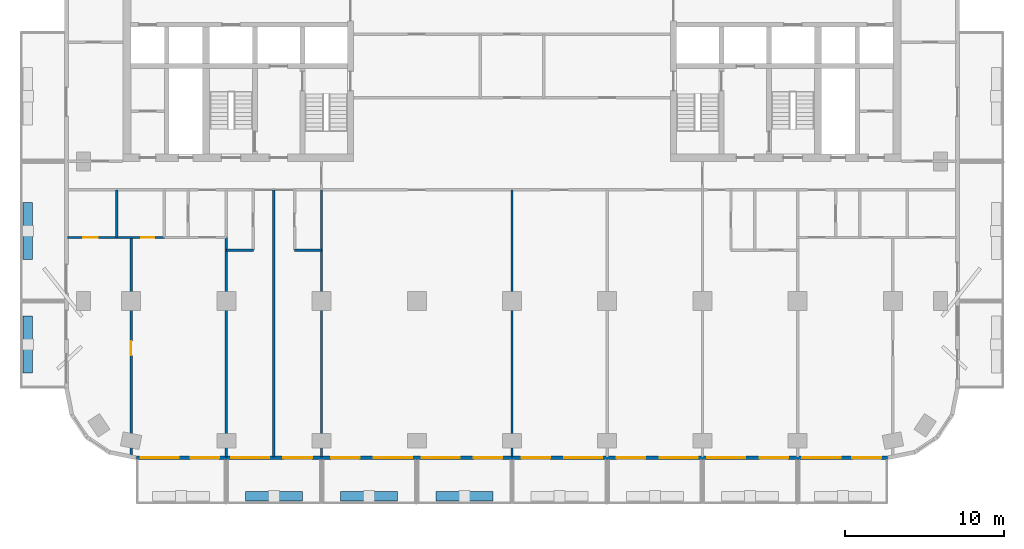
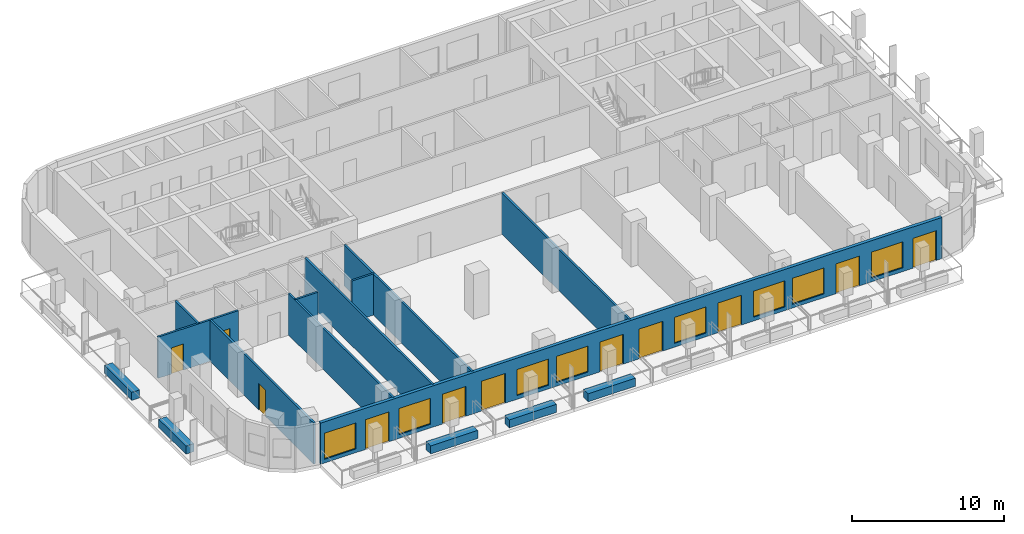
# One storey, part 2 of 12: 15 walls, 11 doors, 8 windows, 19 openings.
"""IFC4 building model written with IfcOpenShell, lengths in metres."""

from ifc_helpers import new_model, si_unit, direction, frame, frame_2d, origin, place, context, subcontext, project, spatial, rectangle, extrude, material, layer, layer_set, type_object, element, fill, save


model = new_model("IFC4")

# Units and contexts
model_context = context("Model", 3, precision=1e-05, world=origin(), true_north=direction((0.0, 1.0)))
body_context = subcontext(model_context, "Body", "Model", "MODEL_VIEW")
ifc_project = project(units=[si_unit("LENGTHUNIT", "METRE"), si_unit("AREAUNIT", "SQUARE_METRE"), si_unit("VOLUMEUNIT", "CUBIC_METRE"), si_unit("PLANEANGLEUNIT", "RADIAN"), si_unit("MASSUNIT", "GRAM", prefix="KILO")], contexts=[model_context])

# Site, building, storey
site_placement = place(None, origin())
site = spatial("IfcSite", under=ifc_project, at=site_placement, CompositionType="ELEMENT")
building_placement = place(site_placement, origin())
building = spatial("IfcBuilding", under=site, at=building_placement, Name="Torana Hotel and Residences", CompositionType="ELEMENT")
storey_placement = place(building_placement, frame((0.0, 0.0, 112.800048828125)))
storey = spatial("IfcBuildingStorey", under=building, at=storey_placement, Name="L28", CompositionType="ELEMENT", Elevation=112.800048828125)

# Wall, openings, doors, windows
ifc_material_1 = material(Name="Black aluminium composite panel", Category="aluminium")
ifc_layer_1 = layer(ifc_material_1, 0.00390625, Name="Cladding", Category="cladding")
ifc_material_2 = material(Name="Ventilated air cavity")
ifc_layer_2 = layer(ifc_material_2, 0.0400390625, Name="Ventilated cavity", Category="cavity")
ifc_material_3 = material(Name="Mineral wool insulation")
ifc_layer_3 = layer(ifc_material_3, 0.090087890625, Name="Insulation", Category="insulation")
ifc_material_4 = material(Name="Steel S280GD", Category="steel")
ifc_layer_4 = layer(ifc_material_4, 0.092041015625, Name="Steel stud frame", Category="structure")
ifc_material_5 = material(Name="Fire rated plasterboard")
ifc_layer_5 = layer(ifc_material_5, 0.011962890625, Name="Inner board", Category="finish")
ifc_layer_6 = layer(ifc_material_5, 0.011962890625, Name="Second board", Category="finish")
ifc_layer_set_1 = layer_set([ifc_layer_1, ifc_layer_2, ifc_layer_3, ifc_layer_4, ifc_layer_5, ifc_layer_6], Name="EW1 EXTERNAL WALL BLACK METAL CLAD 250")
wall_type_1 = type_object("IfcWallType", Name="EW1 EXTERNAL WALL BLACK METAL CLAD 250", PredefinedType="SOLIDWALL", material=ifc_layer_set_1)
wall_1_placement = place(storey_placement, frame((-23.67529296875, -33.675048828125, 0.0), z_axis=(0.0, 0.0, 1.0), x_axis=(1.0, 0.0, 0.0)))
wall_1 = element("IfcWall", 1, at=wall_1_placement, inside=storey, type_object=wall_type_1, Name="External wall L28 e0.14", PredefinedType="SOLIDWALL", context=body_context, shape_type="SweptSolid", body=[
    extrude(rectangle(XDim=47.3505859375, YDim=0.25, at=frame_2d((23.67529296875, 0.0))), origin(), (0.0, 0.0, 1.0), 3.320068359375),
])
opening_1_placement = place(wall_1_placement, frame((0.275390625, 0.0, 0.300048828125)))
opening_1 = element("IfcOpeningElement", 2, at=opening_1_placement, cuts=wall_1, Name="Opening W1", PredefinedType="OPENING", context=body_context, shape_type="SweptSolid", body=[
    extrude(rectangle(XDim=2.39990234375, YDim=2.10009765625, at=frame_2d((1.199951171875, 1.050048828125))), frame((0.0, 0.135009765625, 0.0), z_axis=(0.0, -1.0, 0.0), x_axis=(1.0, 0.0, 0.0)), (0.0, 0.0, 1.0), 0.27001953125),
])
opening_2_placement = place(wall_1_placement, frame((3.42529296875, 0.0, 0.0)))
opening_2 = element("IfcOpeningElement", 3, at=opening_2_placement, cuts=wall_1, Name="Opening L28-E01", PredefinedType="OPENING", context=body_context, shape_type="SweptSolid", body=[
    extrude(rectangle(XDim=1.800048828125, YDim=2.39990234375, at=frame_2d((0.89990234375, 1.199951171875))), frame((0.0, 0.135009765625, 0.0), z_axis=(0.0, -1.0, 0.0), x_axis=(1.0, 0.0, 0.0)), (0.0, 0.0, 1.0), 0.27001953125),
])
opening_3_placement = place(wall_1_placement, frame((5.975341796875, 0.0, 0.300048828125)))
opening_3 = element("IfcOpeningElement", 4, at=opening_3_placement, cuts=wall_1, Name="Opening W1", PredefinedType="OPENING", context=body_context, shape_type="SweptSolid", body=[
    extrude(rectangle(XDim=2.39990234375, YDim=2.10009765625, at=frame_2d((1.199951171875, 1.050048828125))), frame((0.0, 0.135009765625, 0.0), z_axis=(0.0, -1.0, 0.0), x_axis=(1.0, 0.0, 0.0)), (0.0, 0.0, 1.0), 0.27001953125),
])
opening_4_placement = place(wall_1_placement, frame((9.275390625, 0.0, 0.0)))
opening_4 = element("IfcOpeningElement", 5, at=opening_4_placement, cuts=wall_1, Name="Opening L28-E02", PredefinedType="OPENING", context=body_context, shape_type="SweptSolid", body=[
    extrude(rectangle(XDim=1.800048828125, YDim=2.39990234375, at=frame_2d((0.89990234375, 1.199951171875))), frame((0.0, 0.135009765625, 0.0), z_axis=(0.0, -1.0, 0.0), x_axis=(1.0, 0.0, 0.0)), (0.0, 0.0, 1.0), 0.27001953125),
])
opening_5_placement = place(wall_1_placement, frame((12.275390625, 0.0, 0.0)))
opening_5 = element("IfcOpeningElement", 6, at=opening_5_placement, cuts=wall_1, Name="Opening L28-E03", PredefinedType="OPENING", context=body_context, shape_type="SweptSolid", body=[
    extrude(rectangle(XDim=1.800048828125, YDim=2.39990234375, at=frame_2d((0.89990234375, 1.199951171875))), frame((0.0, 0.135009765625, 0.0), z_axis=(0.0, -1.0, 0.0), x_axis=(1.0, 0.0, 0.0)), (0.0, 0.0, 1.0), 0.27001953125),
])
opening_6_placement = place(wall_1_placement, frame((14.975341796875, 0.0, 0.300048828125)))
opening_6 = element("IfcOpeningElement", 7, at=opening_6_placement, cuts=wall_1, Name="Opening W1", PredefinedType="OPENING", context=body_context, shape_type="SweptSolid", body=[
    extrude(rectangle(XDim=2.39990234375, YDim=2.10009765625, at=frame_2d((1.199951171875, 1.050048828125))), frame((0.0, 0.135009765625, 0.0), z_axis=(0.0, -1.0, 0.0), x_axis=(1.0, 0.0, 0.0)), (0.0, 0.0, 1.0), 0.27001953125),
])
opening_7_placement = place(wall_1_placement, frame((17.975341796875, 0.0, 0.300048828125)))
opening_7 = element("IfcOpeningElement", 8, at=opening_7_placement, cuts=wall_1, Name="Opening W1", PredefinedType="OPENING", context=body_context, shape_type="SweptSolid", body=[
    extrude(rectangle(XDim=2.39990234375, YDim=2.10009765625, at=frame_2d((1.199951171875, 1.050048828125))), frame((0.0, 0.135009765625, 0.0), z_axis=(0.0, -1.0, 0.0), x_axis=(1.0, 0.0, 0.0)), (0.0, 0.0, 1.0), 0.27001953125),
])
opening_8_placement = place(wall_1_placement, frame((21.275390625, 0.0, 0.0)))
opening_8 = element("IfcOpeningElement", 9, at=opening_8_placement, cuts=wall_1, Name="Opening L28-E04", PredefinedType="OPENING", context=body_context, shape_type="SweptSolid", body=[
    extrude(rectangle(XDim=1.800048828125, YDim=2.39990234375, at=frame_2d((0.89990234375, 1.199951171875))), frame((0.0, 0.135009765625, 0.0), z_axis=(0.0, -1.0, 0.0), x_axis=(1.0, 0.0, 0.0)), (0.0, 0.0, 1.0), 0.27001953125),
])
opening_9_placement = place(wall_1_placement, frame((24.275390625, 0.0, 0.0)))
opening_9 = element("IfcOpeningElement", 10, at=opening_9_placement, cuts=wall_1, Name="Opening L28-E05", PredefinedType="OPENING", context=body_context, shape_type="SweptSolid", body=[
    extrude(rectangle(XDim=1.800048828125, YDim=2.39990234375, at=frame_2d((0.89990234375, 1.199951171875))), frame((0.0, 0.135009765625, 0.0), z_axis=(0.0, -1.0, 0.0), x_axis=(1.0, 0.0, 0.0)), (0.0, 0.0, 1.0), 0.27001953125),
])
opening_10_placement = place(wall_1_placement, frame((26.975341796875, 0.0, 0.300048828125)))
opening_10 = element("IfcOpeningElement", 11, at=opening_10_placement, cuts=wall_1, Name="Opening W1", PredefinedType="OPENING", context=body_context, shape_type="SweptSolid", body=[
    extrude(rectangle(XDim=2.39990234375, YDim=2.10009765625, at=frame_2d((1.199951171875, 1.050048828125))), frame((0.0, 0.135009765625, 0.0), z_axis=(0.0, -1.0, 0.0), x_axis=(1.0, 0.0, 0.0)), (0.0, 0.0, 1.0), 0.27001953125),
])
opening_11_placement = place(wall_1_placement, frame((30.275390625, 0.0, 0.0)))
opening_11 = element("IfcOpeningElement", 12, at=opening_11_placement, cuts=wall_1, Name="Opening L28-E06", PredefinedType="OPENING", context=body_context, shape_type="SweptSolid", body=[
    extrude(rectangle(XDim=1.800048828125, YDim=2.39990234375, at=frame_2d((0.89990234375, 1.199951171875))), frame((0.0, 0.135009765625, 0.0), z_axis=(0.0, -1.0, 0.0), x_axis=(1.0, 0.0, 0.0)), (0.0, 0.0, 1.0), 0.27001953125),
])
opening_12_placement = place(wall_1_placement, frame((32.975341796875, 0.0, 0.300048828125)))
opening_12 = element("IfcOpeningElement", 13, at=opening_12_placement, cuts=wall_1, Name="Opening W1", PredefinedType="OPENING", context=body_context, shape_type="SweptSolid", body=[
    extrude(rectangle(XDim=2.39990234375, YDim=2.10009765625, at=frame_2d((1.199951171875, 1.050048828125))), frame((0.0, 0.135009765625, 0.0), z_axis=(0.0, -1.0, 0.0), x_axis=(1.0, 0.0, 0.0)), (0.0, 0.0, 1.0), 0.27001953125),
])
opening_13_placement = place(wall_1_placement, frame((35.975341796875, 0.0, 0.300048828125)))
opening_13 = element("IfcOpeningElement", 14, at=opening_13_placement, cuts=wall_1, Name="Opening W1", PredefinedType="OPENING", context=body_context, shape_type="SweptSolid", body=[
    extrude(rectangle(XDim=2.39990234375, YDim=2.10009765625, at=frame_2d((1.199951171875, 1.050048828125))), frame((0.0, 0.135009765625, 0.0), z_axis=(0.0, -1.0, 0.0), x_axis=(1.0, 0.0, 0.0)), (0.0, 0.0, 1.0), 0.27001953125),
])
opening_14_placement = place(wall_1_placement, frame((39.275390625, 0.0, 0.0)))
opening_14 = element("IfcOpeningElement", 15, at=opening_14_placement, cuts=wall_1, Name="Opening L28-E07", PredefinedType="OPENING", context=body_context, shape_type="SweptSolid", body=[
    extrude(rectangle(XDim=1.800048828125, YDim=2.39990234375, at=frame_2d((0.89990234375, 1.199951171875))), frame((0.0, 0.135009765625, 0.0), z_axis=(0.0, -1.0, 0.0), x_axis=(1.0, 0.0, 0.0)), (0.0, 0.0, 1.0), 0.27001953125),
])
opening_15_placement = place(wall_1_placement, frame((41.975341796875, 0.0, 0.300048828125)))
opening_15 = element("IfcOpeningElement", 16, at=opening_15_placement, cuts=wall_1, Name="Opening W1", PredefinedType="OPENING", context=body_context, shape_type="SweptSolid", body=[
    extrude(rectangle(XDim=2.39990234375, YDim=2.10009765625, at=frame_2d((1.199951171875, 1.050048828125))), frame((0.0, 0.135009765625, 0.0), z_axis=(0.0, -1.0, 0.0), x_axis=(1.0, 0.0, 0.0)), (0.0, 0.0, 1.0), 0.27001953125),
])
opening_16_placement = place(wall_1_placement, frame((45.12548828125, 0.0, 0.0)))
opening_16 = element("IfcOpeningElement", 17, at=opening_16_placement, cuts=wall_1, Name="Opening L28-E08", PredefinedType="OPENING", context=body_context, shape_type="SweptSolid", body=[
    extrude(rectangle(XDim=1.800048828125, YDim=2.39990234375, at=frame_2d((0.89990234375, 1.199951171875))), frame((0.0, 0.135009765625, 0.0), z_axis=(0.0, -1.0, 0.0), x_axis=(1.0, 0.0, 0.0)), (0.0, 0.0, 1.0), 0.27001953125),
])
ifc_material_6 = material(Name="Dark glass in black aluminium frame", Category="aluminium")
door_type_1 = type_object("IfcDoorType", Name="DB1 BALCONY DOOR 1800x2400", OperationType="DOUBLE_DOOR_SINGLE_SWING", PredefinedType="DOOR", material=ifc_material_6)
door_1_placement = place(opening_2_placement, frame((0.89990234375, 0.0, 0.0), z_axis=(0.0, 0.0, 1.0), x_axis=(-1.0, 0.0, 0.0)))
door_1 = element("IfcDoor", 18, at=door_1_placement, inside=storey, type_object=door_type_1, Name="Balcony door L28", OperationType="DOUBLE_DOOR_SINGLE_SWING", OverallHeight=2.39990234375, OverallWidth=1.800048828125, PredefinedType="DOOR", context=body_context, shape_type="SweptSolid", body=[
    extrude(rectangle(XDim=1.800048828125, YDim=2.39990234375, at=frame_2d((0.0, 1.199951171875))), frame((0.0, -0.02490234375, 0.0), z_axis=(0.0, 1.0, 0.0), x_axis=(-1.0, 0.0, 0.0)), (0.0, 0.0, 1.0), 0.050048828125),
])
fill(opening_2, door_1)
door_2_placement = place(opening_4_placement, origin())
door_2 = element("IfcDoor", 19, at=door_2_placement, inside=storey, type_object=door_type_1, Name="Balcony door L28", OperationType="DOUBLE_DOOR_SINGLE_SWING", OverallHeight=2.39990234375, OverallWidth=1.800048828125, PredefinedType="DOOR", context=body_context, shape_type="SweptSolid", body=[
    extrude(rectangle(XDim=1.800048828125, YDim=2.39990234375, at=frame_2d((0.89990234375, 1.199951171875))), frame((0.0, 0.02490234375, 0.0), z_axis=(0.0, -1.0, 0.0), x_axis=(1.0, 0.0, 0.0)), (0.0, 0.0, 1.0), 0.050048828125),
])
fill(opening_4, door_2)
door_3_placement = place(opening_5_placement, origin())
door_3 = element("IfcDoor", 20, at=door_3_placement, inside=storey, type_object=door_type_1, Name="Balcony door L28", OperationType="DOUBLE_DOOR_SINGLE_SWING", OverallHeight=2.39990234375, OverallWidth=1.800048828125, PredefinedType="DOOR", context=body_context, shape_type="SweptSolid", body=[
    extrude(rectangle(XDim=1.800048828125, YDim=2.39990234375, at=frame_2d((0.89990234375, 1.199951171875))), frame((0.0, 0.02490234375, 0.0), z_axis=(0.0, -1.0, 0.0), x_axis=(1.0, 0.0, 0.0)), (0.0, 0.0, 1.0), 0.050048828125),
])
fill(opening_5, door_3)
door_4_placement = place(opening_8_placement, origin())
door_4 = element("IfcDoor", 21, at=door_4_placement, inside=storey, type_object=door_type_1, Name="Balcony door L28", OperationType="DOUBLE_DOOR_SINGLE_SWING", OverallHeight=2.39990234375, OverallWidth=1.800048828125, PredefinedType="DOOR", context=body_context, shape_type="SweptSolid", body=[
    extrude(rectangle(XDim=1.800048828125, YDim=2.39990234375, at=frame_2d((0.89990234375, 1.199951171875))), frame((0.0, 0.02490234375, 0.0), z_axis=(0.0, -1.0, 0.0), x_axis=(1.0, 0.0, 0.0)), (0.0, 0.0, 1.0), 0.050048828125),
])
fill(opening_8, door_4)
door_5_placement = place(opening_9_placement, origin())
door_5 = element("IfcDoor", 22, at=door_5_placement, inside=storey, type_object=door_type_1, Name="Balcony door L28", OperationType="DOUBLE_DOOR_SINGLE_SWING", OverallHeight=2.39990234375, OverallWidth=1.800048828125, PredefinedType="DOOR", context=body_context, shape_type="SweptSolid", body=[
    extrude(rectangle(XDim=1.800048828125, YDim=2.39990234375, at=frame_2d((0.89990234375, 1.199951171875))), frame((0.0, 0.02490234375, 0.0), z_axis=(0.0, -1.0, 0.0), x_axis=(1.0, 0.0, 0.0)), (0.0, 0.0, 1.0), 0.050048828125),
])
fill(opening_9, door_5)
door_6_placement = place(opening_11_placement, origin())
door_6 = element("IfcDoor", 23, at=door_6_placement, inside=storey, type_object=door_type_1, Name="Balcony door L28", OperationType="DOUBLE_DOOR_SINGLE_SWING", OverallHeight=2.39990234375, OverallWidth=1.800048828125, PredefinedType="DOOR", context=body_context, shape_type="SweptSolid", body=[
    extrude(rectangle(XDim=1.800048828125, YDim=2.39990234375, at=frame_2d((0.89990234375, 1.199951171875))), frame((0.0, 0.02490234375, 0.0), z_axis=(0.0, -1.0, 0.0), x_axis=(1.0, 0.0, 0.0)), (0.0, 0.0, 1.0), 0.050048828125),
])
fill(opening_11, door_6)
door_7_placement = place(opening_14_placement, origin())
door_7 = element("IfcDoor", 24, at=door_7_placement, inside=storey, type_object=door_type_1, Name="Balcony door L28", OperationType="DOUBLE_DOOR_SINGLE_SWING", OverallHeight=2.39990234375, OverallWidth=1.800048828125, PredefinedType="DOOR", context=body_context, shape_type="SweptSolid", body=[
    extrude(rectangle(XDim=1.800048828125, YDim=2.39990234375, at=frame_2d((0.89990234375, 1.199951171875))), frame((0.0, 0.02490234375, 0.0), z_axis=(0.0, -1.0, 0.0), x_axis=(1.0, 0.0, 0.0)), (0.0, 0.0, 1.0), 0.050048828125),
])
fill(opening_14, door_7)
door_8_placement = place(opening_16_placement, origin())
door_8 = element("IfcDoor", 25, at=door_8_placement, inside=storey, type_object=door_type_1, Name="Balcony door L28", OperationType="DOUBLE_DOOR_SINGLE_SWING", OverallHeight=2.39990234375, OverallWidth=1.800048828125, PredefinedType="DOOR", context=body_context, shape_type="SweptSolid", body=[
    extrude(rectangle(XDim=1.800048828125, YDim=2.39990234375, at=frame_2d((0.89990234375, 1.199951171875))), frame((0.0, 0.02490234375, 0.0), z_axis=(0.0, -1.0, 0.0), x_axis=(1.0, 0.0, 0.0)), (0.0, 0.0, 1.0), 0.050048828125),
])
fill(opening_16, door_8)
ifc_material_7 = material(Name="Dark glass in black aluminium frame", Category="aluminium")
window_type = type_object("IfcWindowType", Name="W1 HOTEL ROOM WINDOW 2400x2100", PartitioningType="SINGLE_PANEL", PredefinedType="WINDOW", material=ifc_material_7)
window_1_placement = place(opening_1_placement, origin())
window_1 = element("IfcWindow", 26, at=window_1_placement, inside=storey, type_object=window_type, Name="Window L28", OverallHeight=2.10009765625, OverallWidth=2.39990234375, PartitioningType="SINGLE_PANEL", PredefinedType="WINDOW", context=body_context, shape_type="SweptSolid", body=[
    extrude(rectangle(XDim=2.39990234375, YDim=2.10009765625, at=frame_2d((1.199951171875, 1.050048828125))), frame((0.0, 0.030029296875, 0.0), z_axis=(0.0, -1.0, 0.0), x_axis=(1.0, 0.0, 0.0)), (0.0, 0.0, 1.0), 0.06005859375),
])
fill(opening_1, window_1)
window_2_placement = place(opening_3_placement, origin())
window_2 = element("IfcWindow", 27, at=window_2_placement, inside=storey, type_object=window_type, Name="Window L28", OverallHeight=2.10009765625, OverallWidth=2.39990234375, PartitioningType="SINGLE_PANEL", PredefinedType="WINDOW", context=body_context, shape_type="SweptSolid", body=[
    extrude(rectangle(XDim=2.39990234375, YDim=2.10009765625, at=frame_2d((1.199951171875, 1.050048828125))), frame((0.0, 0.030029296875, 0.0), z_axis=(0.0, -1.0, 0.0), x_axis=(1.0, 0.0, 0.0)), (0.0, 0.0, 1.0), 0.06005859375),
])
fill(opening_3, window_2)
window_3_placement = place(opening_6_placement, origin())
window_3 = element("IfcWindow", 28, at=window_3_placement, inside=storey, type_object=window_type, Name="Window L28", OverallHeight=2.10009765625, OverallWidth=2.39990234375, PartitioningType="SINGLE_PANEL", PredefinedType="WINDOW", context=body_context, shape_type="SweptSolid", body=[
    extrude(rectangle(XDim=2.39990234375, YDim=2.10009765625, at=frame_2d((1.199951171875, 1.050048828125))), frame((0.0, 0.030029296875, 0.0), z_axis=(0.0, -1.0, 0.0), x_axis=(1.0, 0.0, 0.0)), (0.0, 0.0, 1.0), 0.06005859375),
])
fill(opening_6, window_3)
window_4_placement = place(opening_7_placement, origin())
window_4 = element("IfcWindow", 29, at=window_4_placement, inside=storey, type_object=window_type, Name="Window L28", OverallHeight=2.10009765625, OverallWidth=2.39990234375, PartitioningType="SINGLE_PANEL", PredefinedType="WINDOW", context=body_context, shape_type="SweptSolid", body=[
    extrude(rectangle(XDim=2.39990234375, YDim=2.10009765625, at=frame_2d((1.199951171875, 1.050048828125))), frame((0.0, 0.030029296875, 0.0), z_axis=(0.0, -1.0, 0.0), x_axis=(1.0, 0.0, 0.0)), (0.0, 0.0, 1.0), 0.06005859375),
])
fill(opening_7, window_4)
window_5_placement = place(opening_10_placement, origin())
window_5 = element("IfcWindow", 30, at=window_5_placement, inside=storey, type_object=window_type, Name="Window L28", OverallHeight=2.10009765625, OverallWidth=2.39990234375, PartitioningType="SINGLE_PANEL", PredefinedType="WINDOW", context=body_context, shape_type="SweptSolid", body=[
    extrude(rectangle(XDim=2.39990234375, YDim=2.10009765625, at=frame_2d((1.199951171875, 1.050048828125))), frame((0.0, 0.030029296875, 0.0), z_axis=(0.0, -1.0, 0.0), x_axis=(1.0, 0.0, 0.0)), (0.0, 0.0, 1.0), 0.06005859375),
])
fill(opening_10, window_5)
window_6_placement = place(opening_12_placement, origin())
window_6 = element("IfcWindow", 31, at=window_6_placement, inside=storey, type_object=window_type, Name="Window L28", OverallHeight=2.10009765625, OverallWidth=2.39990234375, PartitioningType="SINGLE_PANEL", PredefinedType="WINDOW", context=body_context, shape_type="SweptSolid", body=[
    extrude(rectangle(XDim=2.39990234375, YDim=2.10009765625, at=frame_2d((1.199951171875, 1.050048828125))), frame((0.0, 0.030029296875, 0.0), z_axis=(0.0, -1.0, 0.0), x_axis=(1.0, 0.0, 0.0)), (0.0, 0.0, 1.0), 0.06005859375),
])
fill(opening_12, window_6)
window_7_placement = place(opening_13_placement, origin())
window_7 = element("IfcWindow", 32, at=window_7_placement, inside=storey, type_object=window_type, Name="Window L28", OverallHeight=2.10009765625, OverallWidth=2.39990234375, PartitioningType="SINGLE_PANEL", PredefinedType="WINDOW", context=body_context, shape_type="SweptSolid", body=[
    extrude(rectangle(XDim=2.39990234375, YDim=2.10009765625, at=frame_2d((1.199951171875, 1.050048828125))), frame((0.0, 0.030029296875, 0.0), z_axis=(0.0, -1.0, 0.0), x_axis=(1.0, 0.0, 0.0)), (0.0, 0.0, 1.0), 0.06005859375),
])
fill(opening_13, window_7)
window_8_placement = place(opening_15_placement, origin())
window_8 = element("IfcWindow", 33, at=window_8_placement, inside=storey, type_object=window_type, Name="Window L28", OverallHeight=2.10009765625, OverallWidth=2.39990234375, PartitioningType="SINGLE_PANEL", PredefinedType="WINDOW", context=body_context, shape_type="SweptSolid", body=[
    extrude(rectangle(XDim=2.39990234375, YDim=2.10009765625, at=frame_2d((1.199951171875, 1.050048828125))), frame((0.0, 0.030029296875, 0.0), z_axis=(0.0, -1.0, 0.0), x_axis=(1.0, 0.0, 0.0)), (0.0, 0.0, 1.0), 0.06005859375),
])
fill(opening_15, window_8)

# Walls
ifc_material_8 = material(Name="Gypsum plasterboard")
ifc_layer_7 = layer(ifc_material_8, 0.012451171875, Name="Plasterboard", Category="finish")
ifc_layer_8 = layer(ifc_material_8, 0.012451171875, Name="Plasterboard", Category="finish")
ifc_layer_9 = layer(ifc_material_4, 0.10009765625, Name="Steel studs with mineral wool", Category="insulation")
ifc_layer_10 = layer(ifc_material_8, 0.012451171875, Name="Plasterboard", Category="finish")
ifc_layer_11 = layer(ifc_material_8, 0.012451171875, Name="Plasterboard", Category="finish")
ifc_layer_set_2 = layer_set([ifc_layer_7, ifc_layer_8, ifc_layer_9, ifc_layer_10, ifc_layer_11], Name="PARTITION 150 PLASTERBOARD")
wall_type_2 = type_object("IfcWallType", Name="PARTITION 150 PLASTERBOARD", PredefinedType="PARTITIONING", material=ifc_layer_set_2)
for number, where, z_axis, x_axis, name in (
    (34, (0.0, -33.6201171875, 0.0), (0.0, 0.0, 1.0), (0.0, 1.0, 0.0), "Partition L28"),
    (35, (-12.0, -33.6201171875, 0.0), (0.0, 0.0, 1.0), (0.0, 1.0, 0.0), "Partition L28"),
    (36, (-15.0, -33.6201171875, 0.0), (0.0, 0.0, 1.0), (0.0, 1.0, 0.0), "Partition L28"),
):
    element("IfcWall", number, at=place(storey_placement, frame(where, z_axis=z_axis, x_axis=x_axis)), inside=storey, type_object=wall_type_2, Name=name, PredefinedType="PARTITIONING", context=body_context, shape_type="SweptSolid", body=[
        extrude(rectangle(XDim=16.820068359375, YDim=0.14990234375, at=frame_2d((8.41015625, 0.0))), origin(), (0.0, 0.0, 1.0), 3.320068359375),
    ])
wall_2_placement = place(storey_placement, frame((-18.0, -33.6201171875, 0.0), z_axis=(0.0, 0.0, 1.0), x_axis=(0.0, 1.0, 0.0)))
element("IfcWall", 37, at=wall_2_placement, inside=storey, type_object=wall_type_2, Name="Partition L28", PredefinedType="PARTITIONING", context=body_context, shape_type="SweptSolid", body=[
    extrude(rectangle(XDim=13.820068359375, YDim=0.14990234375, at=frame_2d((6.91015625, 0.0))), origin(), (0.0, 0.0, 1.0), 3.320068359375),
])

# Wall, opening, door
wall_3_placement = place(storey_placement, frame((-24.0, -33.556884765625, 0.0), z_axis=(0.0, 0.0, 1.0), x_axis=(0.0, 1.0, 0.0)))
wall_3 = element("IfcWall", 38, at=wall_3_placement, inside=storey, type_object=wall_type_2, Name="Partition L28", PredefinedType="PARTITIONING", context=body_context, shape_type="SweptSolid", body=[
    extrude(rectangle(XDim=13.7568359375, YDim=0.14990234375, at=frame_2d((6.87841796875, 0.0))), origin(), (0.0, 0.0, 1.0), 3.320068359375),
])
opening_17_placement = place(wall_3_placement, frame((6.3369140625, 0.0, 0.0)))
opening_17 = element("IfcOpeningElement", 39, at=opening_17_placement, cuts=wall_3, Name="Opening L28-61", PredefinedType="OPENING", context=body_context, shape_type="SweptSolid", body=[
    extrude(rectangle(XDim=0.89990234375, YDim=2.10009765625, at=frame_2d((0.449951171875, 1.050048828125))), frame((0.0, 0.0849609375, 0.0), z_axis=(0.0, -1.0, 0.0), x_axis=(1.0, 0.0, 0.0)), (0.0, 0.0, 1.0), 0.169921875),
])
ifc_material_9 = material(Name="Timber door, oiled ash", Category="wood")
door_type_2 = type_object("IfcDoorType", Name="ROOM DOOR D7 900x2100", OperationType="SINGLE_SWING_LEFT", PredefinedType="DOOR", material=ifc_material_9)
door_9_placement = place(opening_17_placement, origin())
door_9 = element("IfcDoor", 40, at=door_9_placement, inside=storey, type_object=door_type_2, Name="Door L28", OperationType="SINGLE_SWING_RIGHT", OverallHeight=2.10009765625, OverallWidth=0.89990234375, PredefinedType="DOOR", context=body_context, shape_type="SweptSolid", body=[
    extrude(rectangle(XDim=0.89990234375, YDim=2.10009765625, at=frame_2d((0.449951171875, 1.050048828125))), frame((0.0, 0.02490234375, 0.0), z_axis=(0.0, -1.0, 0.0), x_axis=(1.0, 0.0, 0.0)), (0.0, 0.0, 1.0), 0.050048828125),
])
fill(opening_17, door_9)

# Walls
wall_4_placement = place(storey_placement, frame((-24.89990234375, -19.800048828125, 0.0), z_axis=(0.0, 0.0, 1.0), x_axis=(0.0, 1.0, 0.0)))
element("IfcWall", 41, at=wall_4_placement, inside=storey, type_object=wall_type_2, Name="Partition L28", PredefinedType="PARTITIONING", context=body_context, shape_type="SweptSolid", body=[
    extrude(rectangle(XDim=3.0, YDim=0.14990234375, at=frame_2d((1.5, 0.0))), origin(), (0.0, 0.0, 1.0), 3.320068359375),
])
for number, where, z_axis, x_axis, name in (
    (42, (-18.0, -20.60009765625, 0.0), (0.0, 0.0, 1.0), (1.0, 0.0, 0.0), "Partition L28"),
    (43, (-13.699951171875, -20.60009765625, 0.0), (0.0, 0.0, 1.0), (1.0, 0.0, 0.0), "Partition L28"),
):
    element("IfcWall", number, at=place(storey_placement, frame(where, z_axis=z_axis, x_axis=x_axis)), inside=storey, type_object=wall_type_2, Name=name, PredefinedType="PARTITIONING", context=body_context, shape_type="SweptSolid", body=[
        extrude(rectangle(XDim=1.699951171875, YDim=0.14990234375, at=frame_2d((0.85009765625, 0.0))), origin(), (0.0, 0.0, 1.0), 3.320068359375),
    ])

# Wall, openings, doors
wall_5_placement = place(storey_placement, frame((-28.02001953125, -19.800048828125, 0.0), z_axis=(0.0, 0.0, 1.0), x_axis=(1.0, 0.0, 0.0)))
wall_5 = element("IfcWall", 44, at=wall_5_placement, inside=storey, type_object=wall_type_2, Name="Partition L28", PredefinedType="PARTITIONING", context=body_context, shape_type="SweptSolid", body=[
    extrude(rectangle(XDim=6.1201171875, YDim=0.14990234375, at=frame_2d((3.06005859375, 0.0))), origin(), (0.0, 0.0, 1.0), 3.320068359375),
])
opening_18_placement = place(wall_5_placement, frame((4.669921875, 0.0, 0.0)))
opening_18 = element("IfcOpeningElement", 45, at=opening_18_placement, cuts=wall_5, Name="Opening L28-59", PredefinedType="OPENING", context=body_context, shape_type="SweptSolid", body=[
    extrude(rectangle(XDim=0.800048828125, YDim=2.10009765625, at=frame_2d((0.39990234375, 1.050048828125))), frame((0.0, 0.0849609375, 0.0), z_axis=(0.0, -1.0, 0.0), x_axis=(1.0, 0.0, 0.0)), (0.0, 0.0, 1.0), 0.169921875),
])
opening_19_placement = place(wall_5_placement, frame((1.02001953125, 0.0, 0.0)))
opening_19 = element("IfcOpeningElement", 46, at=opening_19_placement, cuts=wall_5, Name="Opening L28-60", PredefinedType="OPENING", context=body_context, shape_type="SweptSolid", body=[
    extrude(rectangle(XDim=0.89990234375, YDim=2.10009765625, at=frame_2d((0.449951171875, 1.050048828125))), frame((0.0, 0.0849609375, 0.0), z_axis=(0.0, -1.0, 0.0), x_axis=(1.0, 0.0, 0.0)), (0.0, 0.0, 1.0), 0.169921875),
])
ifc_material_10 = material(Name="Timber door, painted", Category="wood")
door_type_3 = type_object("IfcDoorType", Name="BATH DOOR D13 800x2100", OperationType="SINGLE_SWING_LEFT", PredefinedType="DOOR", material=ifc_material_10)
door_10_placement = place(opening_18_placement, origin())
door_10 = element("IfcDoor", 47, at=door_10_placement, inside=storey, type_object=door_type_3, Name="Door L28", OperationType="SINGLE_SWING_LEFT", OverallHeight=2.10009765625, OverallWidth=0.800048828125, PredefinedType="DOOR", context=body_context, shape_type="SweptSolid", body=[
    extrude(rectangle(XDim=0.800048828125, YDim=2.10009765625, at=frame_2d((0.39990234375, 1.050048828125))), frame((0.0, 0.02490234375, 0.0), z_axis=(0.0, -1.0, 0.0), x_axis=(1.0, 0.0, 0.0)), (0.0, 0.0, 1.0), 0.050048828125),
])
fill(opening_18, door_10)
door_11_placement = place(opening_19_placement, origin())
door_11 = element("IfcDoor", 48, at=door_11_placement, inside=storey, type_object=door_type_2, Name="Door L28", OperationType="SINGLE_SWING_RIGHT", OverallHeight=2.10009765625, OverallWidth=0.89990234375, PredefinedType="DOOR", context=body_context, shape_type="SweptSolid", body=[
    extrude(rectangle(XDim=0.89990234375, YDim=2.10009765625, at=frame_2d((0.449951171875, 1.050048828125))), frame((0.0, 0.02490234375, 0.0), z_axis=(0.0, -1.0, 0.0), x_axis=(1.0, 0.0, 0.0)), (0.0, 0.0, 1.0), 0.050048828125),
])
fill(opening_19, door_11)

# Walls
ifc_material_11 = material(Name="Concrete C40/50 precast", Category="concrete")
ifc_layer_12 = layer(ifc_material_11, 0.10009765625, Name="Planter shell", Category="structure")
ifc_material_12 = material(Name="Root resistant membrane")
ifc_layer_13 = layer(ifc_material_12, 0.00390625, Name="Waterproofing membrane", Category="membrane")
ifc_material_13 = material(Name="Drainage board with filter fleece")
ifc_layer_14 = layer(ifc_material_13, 0.02001953125, Name="Drainage board", Category="drainage")
ifc_material_14 = material(Name="Growing medium")
ifc_layer_15 = layer(ifc_material_14, 0.47607421875, Name="Planting substrate", Category="soil")
ifc_layer_set_3 = layer_set([ifc_layer_12, ifc_layer_13, ifc_layer_14, ifc_layer_15], Name="PL1 BALCONY PLANTER 600")
wall_type_3 = type_object("IfcWallType", Name="PL1 BALCONY PLANTER 600", PredefinedType="USERDEFINED", material=ifc_layer_set_3)
for number, where, z_axis, x_axis, name in (
    (49, (-13.199951171875, -36.10009765625, 0.0), (0.0, 0.0, 1.0), (-1.0, 0.0, 0.0), "Planter 02"),
    (50, (-7.199951171875, -36.10009765625, 0.0), (0.0, 0.0, 1.0), (-1.0, 0.0, 0.0), "Planter 03"),
    (51, (-1.199951171875, -36.10009765625, 0.0), (0.0, 0.0, 1.0), (-1.0, 0.0, 0.0), "Planter 04"),
    (52, (-30.5, -28.35009765625, 0.0), (0.0, 0.0, 1.0), (0.0, 1.0, 0.0), "Planter 09"),
):
    element("IfcWall", number, at=place(storey_placement, frame(where, z_axis=z_axis, x_axis=x_axis)), inside=storey, type_object=wall_type_3, Name=name, ObjectType="PLANTER", PredefinedType="USERDEFINED", context=body_context, shape_type="SweptSolid", body=[
        extrude(rectangle(XDim=3.60009765625, YDim=0.60009765625, at=frame_2d((1.800048828125, 0.0))), origin(), (0.0, 0.0, 1.0), 0.64990234375),
    ])
wall_6_placement = place(storey_placement, frame((-30.5, -21.199951171875, 0.0), z_axis=(0.0, 0.0, 1.0), x_axis=(0.0, 1.0, 0.0)))
element("IfcWall", 53, at=wall_6_placement, inside=storey, type_object=wall_type_3, Name="Planter 10", ObjectType="PLANTER", PredefinedType="USERDEFINED", context=body_context, shape_type="SweptSolid", body=[
    extrude(rectangle(XDim=3.599853515625, YDim=0.60009765625, at=frame_2d((1.7998046875, 0.0))), origin(), (0.0, 0.0, 1.0), 0.64990234375),
])

save(model, "model.ifc")
